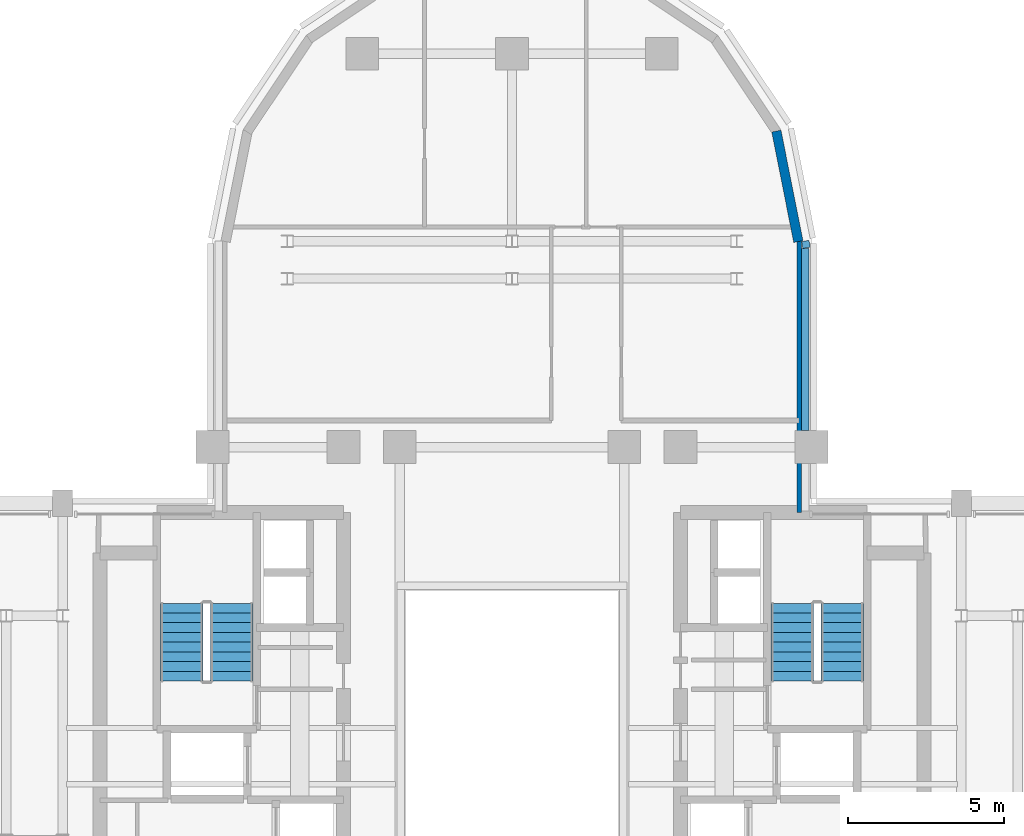
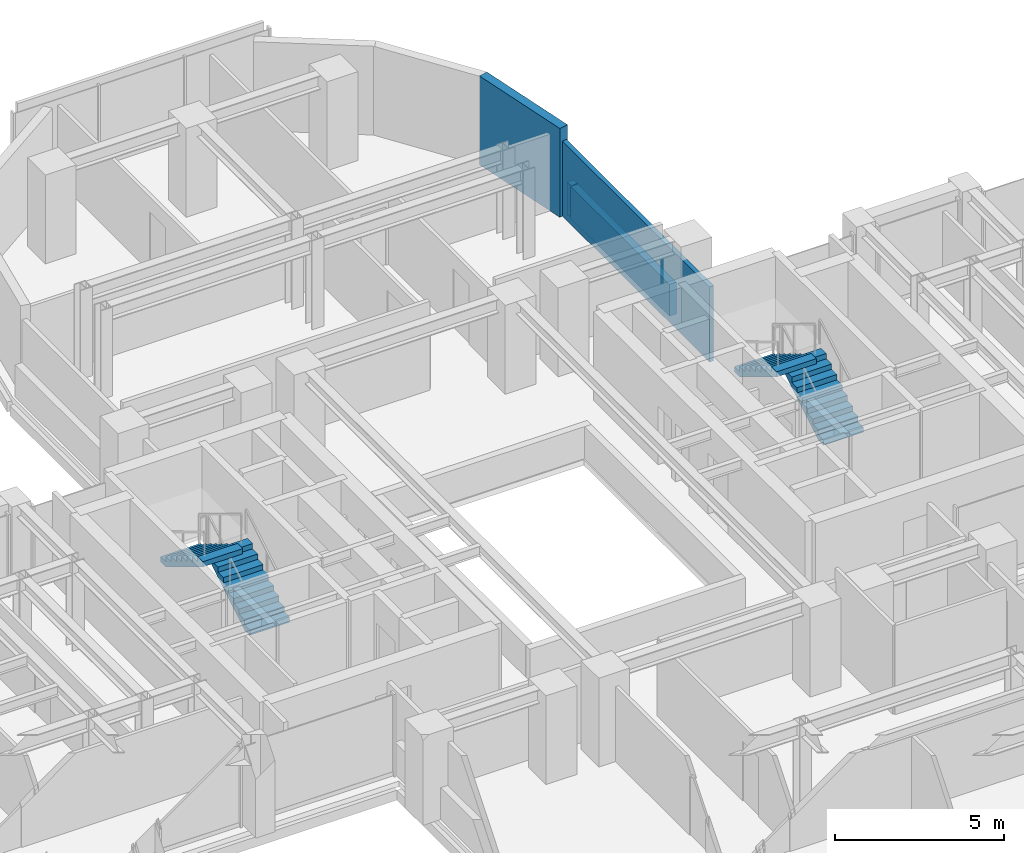
# One storey, part 11 of 14: 4 stair flights, 4 walls, 2 elements without a shape of their own.
"""IFC4 building model written with IfcOpenShell, lengths in metres."""

from ifc_helpers import new_model, si_unit, direction, frame, frame_2d, origin, place, context, subcontext, project, spatial, polyline, rectangle, outline, extrude, material, layer, layer_set, type_object, element, aggregate, save


model = new_model("IFC4")

# Units and contexts
model_context = context("Model", 3, precision=1e-05, world=origin(), true_north=direction((0.0, 1.0)))
body_context = subcontext(model_context, "Body", "Model", "MODEL_VIEW")
ifc_project = project(units=[si_unit("LENGTHUNIT", "METRE"), si_unit("AREAUNIT", "SQUARE_METRE"), si_unit("VOLUMEUNIT", "CUBIC_METRE"), si_unit("PLANEANGLEUNIT", "RADIAN"), si_unit("MASSUNIT", "GRAM", prefix="KILO")], contexts=[model_context])

# Site, building, storey
site_placement = place(None, origin())
site = spatial("IfcSite", under=ifc_project, at=site_placement, CompositionType="ELEMENT")
building_placement = place(site_placement, origin())
building = spatial("IfcBuilding", under=site, at=building_placement, Name="Keilestroom Media Tower", CompositionType="ELEMENT")
storey_placement = place(building_placement, frame((0.0, 0.0, 124.39990234375)))
storey = spatial("IfcBuildingStorey", under=building, at=storey_placement, Name="L33", CompositionType="ELEMENT", Elevation=124.39990234375)

# Walls
ifc_material_1 = material(Name="Precast concrete C40/50", Category="concrete")
ifc_layer_1 = layer(ifc_material_1, 0.300048828125)
ifc_layer_set_1 = layer_set([ifc_layer_1], Name="Precast concrete C40/50")
wall_type_1 = type_object("IfcWallType", Name="Exterior-Masonry-Spandrel-Wall-300", PredefinedType="SOLIDWALL", material=ifc_layer_set_1)
wall_1_placement = place(storey_placement, frame((9.1748046875, 15.585205078125, 0.0), z_axis=(0.0, 0.0, 1.0), x_axis=(-0.195114232679, 0.980780523974, 0.0)))
element("IfcWall", 1, at=wall_1_placement, inside=storey, type_object=wall_type_1, Name="L33 Lobe Facet Precast Frame Wall 01", PredefinedType="SOLIDWALL", context=body_context, shape_type="SweptSolid", body=[
    extrude(rectangle(XDim=3.608642578125, YDim=0.300048828125, at=frame_2d((1.80419921875, 0.0))), origin(), (0.0, 0.0, 1.0), 3.2001953125),
])
ifc_material_2 = material(Name="Gypsum Plasterboard & Steel Stud", Category="steel")
ifc_layer_2 = layer(ifc_material_2, 0.14990234375)
ifc_layer_set_2 = layer_set([ifc_layer_2], Name="Gypsum Plasterboard & Steel Stud")
wall_type_2 = type_object("IfcWallType", Name="Interior-Partition-Wall-150", PredefinedType="PARTITIONING", material=ifc_layer_set_2)
wall_2_placement = place(storey_placement, frame((9.199951171875, 6.89990234375, 0.0), z_axis=(0.0, 0.0, 1.0), x_axis=(0.0, 1.0, 0.0)))
element("IfcWall", 2, at=wall_2_placement, inside=storey, type_object=wall_type_2, Name="L33 Interior Wall WP-L33-NL-CHKE", PredefinedType="PARTITIONING", context=body_context, shape_type="SweptSolid", body=[
    extrude(rectangle(XDim=8.780029296875, YDim=0.14990234375, at=frame_2d((4.39013671875, 0.0))), origin(), (0.0, 0.0, 1.0), 2.7001953125),
])
ifc_layer_3 = layer(ifc_material_1, 0.239990234375)
ifc_layer_set_3 = layer_set([ifc_layer_3], Name="Precast concrete C40/50")
wall_type_3 = type_object("IfcWallType", Name="Roof-And-Terrace-Parapet-Wall-240", PredefinedType="PARAPET", material=ifc_layer_set_3)
wall_3_placement = place(storey_placement, frame((9.395263671875, 15.604248046875, 0.0), z_axis=(0.0, 0.0, 1.0), x_axis=(0.194652052864, -0.980872355771, 0.0)))
element("IfcWall", 3, at=wall_3_placement, inside=storey, type_object=wall_type_3, Name="L33 Perimeter Edge Parapet Wall 21", PredefinedType="PARAPET", context=body_context, shape_type="SweptSolid", body=[
    extrude(rectangle(XDim=0.224609375, YDim=0.239990234375, at=frame_2d((0.1123046875, 0.0))), origin(), (0.0, 0.0, 1.0), 1.150146484375),
])
wall_4_placement = place(storey_placement, frame((9.39990234375, 15.357666015625, 0.0), z_axis=(0.0, 0.0, 1.0), x_axis=(0.0, -1.0, 0.0)))
element("IfcWall", 4, at=wall_4_placement, inside=storey, type_object=wall_type_3, Name="L33 Perimeter Edge Parapet Wall 22", PredefinedType="PARAPET", context=body_context, shape_type="SweptSolid", body=[
    extrude(rectangle(XDim=5.82958984375, YDim=0.239990234375, at=frame_2d((2.914794921875, 0.0))), origin(), (0.0, 0.0, 1.0), 1.150146484375),
])

# Stair, stair flights
ifc_material_3 = material(Name="Concrete C45/55", Category="concrete")
stair_type = type_object("IfcStairType", Name="Enclosed-Dog-Leg-Stair-ST-CORE", PredefinedType="HALF_TURN_STAIR", material=ifc_material_3)
stair_1_placement = place(storey_placement, origin())
stair_1 = element("IfcStair", 5, at=stair_1_placement, inside=storey, type_object=stair_type, Name="L33 West Core Escape Stair ST-1", PredefinedType="HALF_TURN_STAIR")
stair_flight_type = type_object("IfcStairFlightType", Name="Precast-Concrete-Stair-Flight-Core-160", PredefinedType="STRAIGHT", material=ifc_material_1)
stair_flight_1_placement = place(storey_placement, frame((-8.97998046875, 1.5, 0.0), z_axis=(0.0, 0.0, 1.0), x_axis=(0.0, 1.0, 0.0)))
stair_flight_1 = element("IfcStairFlight", 6, at=stair_flight_1_placement, type_object=stair_flight_type, Name="ST-1 flight 1", NumberOfRisers=9, NumberOfTreads=8, PredefinedType="STRAIGHT", RiserHeight=0.188888889, TreadLength=0.312, context=body_context, shape_type="SweptSolid", body=[
    extrude(outline(polyline([(0.0, 0.0), (0.0, 0.18896484375), (0.31201171875, 0.18896484375), (0.31201171875, 0.377685546875), (0.6240234375, 0.377685546875), (0.6240234375, 0.566650390625), (0.93603515625, 0.566650390625), (0.93603515625, 0.755615234375), (1.248046875, 0.755615234375), (1.248046875, 0.9443359375), (1.56005859375, 0.9443359375), (1.56005859375, 1.13330078125), (1.8720703125, 1.13330078125), (1.8720703125, 1.322265625), (2.18408203125, 1.322265625), (2.18408203125, 1.51123046875), (2.49609375, 1.51123046875), (2.49609375, 1.699951171875), (2.49609375, 1.32421875), (0.308837890625, 0.0), (0.0, 0.0)])), frame((0.0, 0.68017578125, 0.0), z_axis=(0.0, -1.0, 0.0), x_axis=(1.0, 0.0, 0.0)), (0.0, 0.0, 1.0), 1.360107421875),
])
stair_flight_2_placement = place(storey_placement, frame((-10.580078125, 3.99609375, 1.7001953125), z_axis=(0.0, 0.0, 1.0), x_axis=(0.0, -1.0, 0.0)))
stair_flight_2 = element("IfcStairFlight", 7, at=stair_flight_2_placement, type_object=stair_flight_type, Name="ST-1 flight 2", NumberOfRisers=9, NumberOfTreads=8, PredefinedType="STRAIGHT", RiserHeight=0.188888889, TreadLength=0.312, context=body_context, shape_type="SweptSolid", body=[
    extrude(outline(polyline([(0.0, 0.0), (0.0, 0.18896484375), (0.31201171875, 0.18896484375), (0.31201171875, 0.377685546875), (0.6240234375, 0.377685546875), (0.6240234375, 0.566650390625), (0.93603515625, 0.566650390625), (0.93603515625, 0.755615234375), (1.248046875, 0.755615234375), (1.248046875, 0.9443359375), (1.56005859375, 0.9443359375), (1.56005859375, 1.13330078125), (1.8720703125, 1.13330078125), (1.8720703125, 1.322265625), (2.18408203125, 1.322265625), (2.18408203125, 1.51123046875), (2.49609375, 1.51123046875), (2.49609375, 1.699951171875), (2.49609375, 1.32421875), (0.308837890625, 0.0), (0.0, 0.0)])), frame((0.0, 0.68017578125, 0.0), z_axis=(0.0, -1.0, 0.0), x_axis=(1.0, 0.0, 0.0)), (0.0, 0.0, 1.0), 1.360107421875),
])
aggregate(stair_1, [stair_flight_1, stair_flight_2])

stair_2_placement = place(storey_placement, origin())
stair_2 = element("IfcStair", 8, at=stair_2_placement, inside=storey, type_object=stair_type, Name="L33 East Core Escape Stair ST-2", PredefinedType="HALF_TURN_STAIR")
stair_flight_3_placement = place(storey_placement, frame((10.580078125, 1.5, 0.0), z_axis=(0.0, 0.0, 1.0), x_axis=(0.0, 1.0, 0.0)))
stair_flight_3 = element("IfcStairFlight", 9, at=stair_flight_3_placement, type_object=stair_flight_type, Name="ST-2 flight 1", NumberOfRisers=9, NumberOfTreads=8, PredefinedType="STRAIGHT", RiserHeight=0.188888889, TreadLength=0.312, context=body_context, shape_type="SweptSolid", body=[
    extrude(outline(polyline([(0.0, 0.0), (0.0, 0.18896484375), (0.31201171875, 0.18896484375), (0.31201171875, 0.377685546875), (0.6240234375, 0.377685546875), (0.6240234375, 0.566650390625), (0.93603515625, 0.566650390625), (0.93603515625, 0.755615234375), (1.248046875, 0.755615234375), (1.248046875, 0.9443359375), (1.56005859375, 0.9443359375), (1.56005859375, 1.13330078125), (1.8720703125, 1.13330078125), (1.8720703125, 1.322265625), (2.18408203125, 1.322265625), (2.18408203125, 1.51123046875), (2.49609375, 1.51123046875), (2.49609375, 1.699951171875), (2.49609375, 1.32421875), (0.308837890625, 0.0), (0.0, 0.0)])), frame((0.0, 0.68017578125, 0.0), z_axis=(0.0, -1.0, 0.0), x_axis=(1.0, 0.0, 0.0)), (0.0, 0.0, 1.0), 1.360107421875),
])
stair_flight_4_placement = place(storey_placement, frame((8.97998046875, 3.99609375, 1.7001953125), z_axis=(0.0, 0.0, 1.0), x_axis=(0.0, -1.0, 0.0)))
stair_flight_4 = element("IfcStairFlight", 10, at=stair_flight_4_placement, type_object=stair_flight_type, Name="ST-2 flight 2", NumberOfRisers=9, NumberOfTreads=8, PredefinedType="STRAIGHT", RiserHeight=0.188888889, TreadLength=0.312, context=body_context, shape_type="SweptSolid", body=[
    extrude(outline(polyline([(0.0, 0.0), (0.0, 0.18896484375), (0.31201171875, 0.18896484375), (0.31201171875, 0.377685546875), (0.6240234375, 0.377685546875), (0.6240234375, 0.566650390625), (0.93603515625, 0.566650390625), (0.93603515625, 0.755615234375), (1.248046875, 0.755615234375), (1.248046875, 0.9443359375), (1.56005859375, 0.9443359375), (1.56005859375, 1.13330078125), (1.8720703125, 1.13330078125), (1.8720703125, 1.322265625), (2.18408203125, 1.322265625), (2.18408203125, 1.51123046875), (2.49609375, 1.51123046875), (2.49609375, 1.699951171875), (2.49609375, 1.32421875), (0.308837890625, 0.0), (0.0, 0.0)])), frame((0.0, 0.68017578125, 0.0), z_axis=(0.0, -1.0, 0.0), x_axis=(1.0, 0.0, 0.0)), (0.0, 0.0, 1.0), 1.360107421875),
])
aggregate(stair_2, [stair_flight_3, stair_flight_4])

save(model, "model.ifc")
